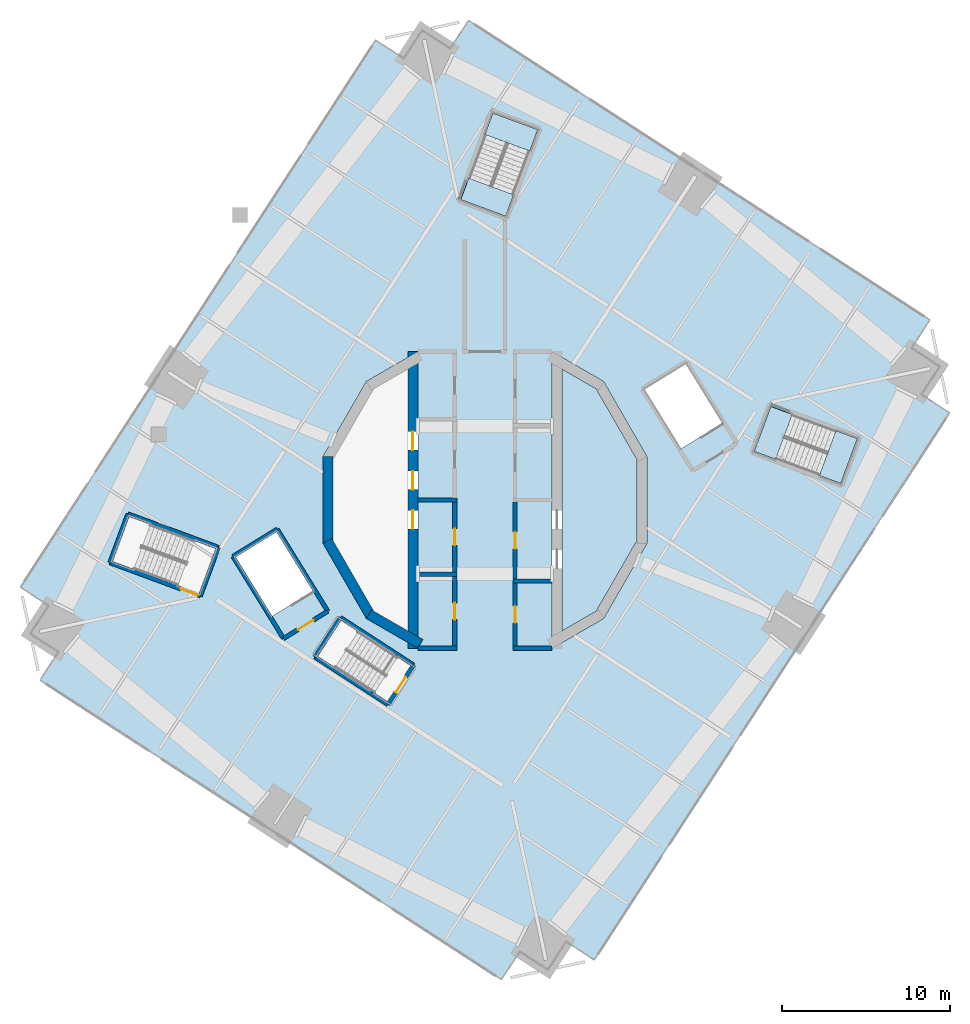
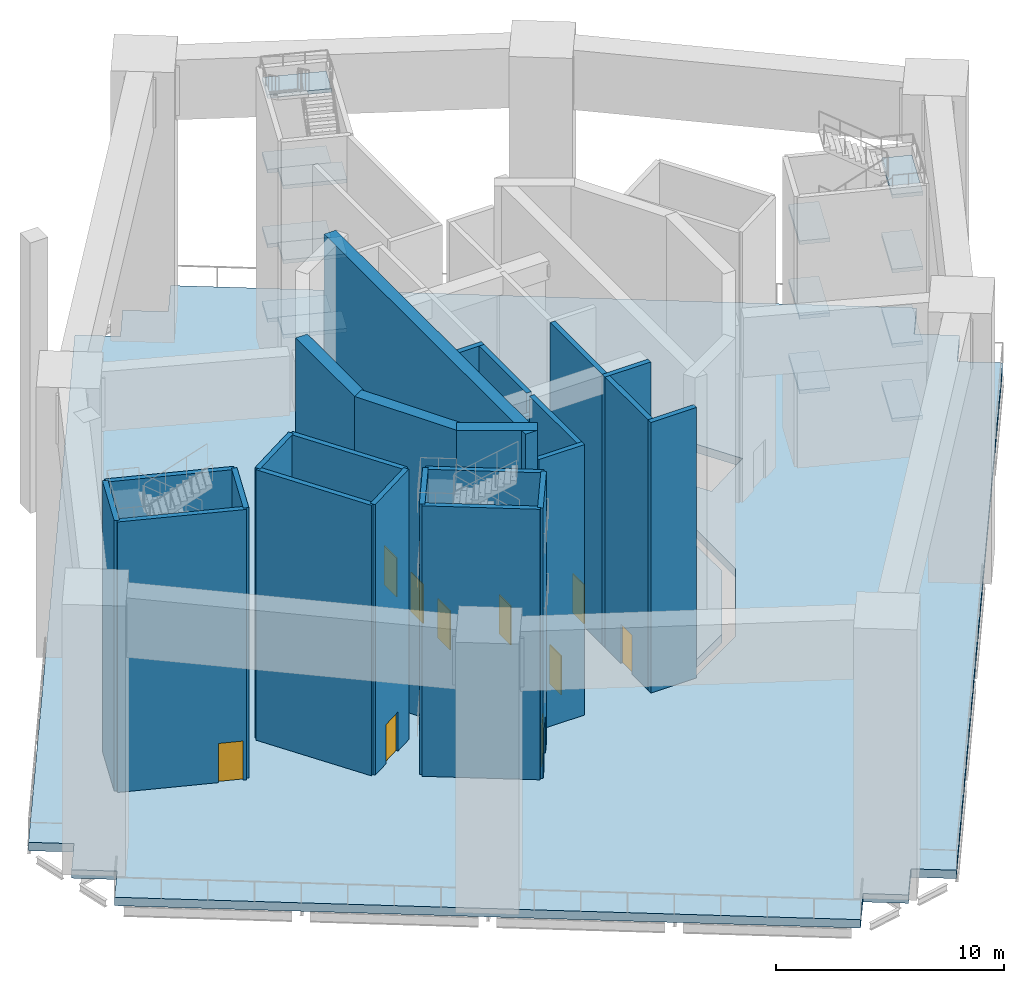
# One storey, part 3 of 16: 25 walls, 16 slabs, 10 doors, 10 openings, 2 elements without a shape of their own.
"""IFC4 building model written with IfcOpenShell, lengths in metres."""

import ifcopenshell
import ifcopenshell.guid

model = None  # the IFC model being written
_history = None  # IfcOwnerHistory: only IFC2X3 demands one
_inside = {}  # id of a spatial element -> (the spatial element, [elements in it])
_under = {}  # id of a project, library or spatial element -> (it, [spatial elements below it])
_declared = {}  # id of a project -> (the project, [libraries it declares])
_typed = {}  # id of a type object -> (the type object, [elements of that type])
_made_of = {}  # id of a material, layer set ... -> (it, [elements and type objects made of it])


def new_model(schema):
    """Start an empty IFC model of exactly this schema.

    Asked for "IFC4X3", IfcOpenShell would pick the latest addendum, in which some entities
    have other attributes; the version numbers below select the first issue.
    IFC2X3 requires an IfcOwnerHistory on every rooted entity: one is made here for all.
    """
    global model, _history
    if schema == "IFC4X3":
        model = ifcopenshell.file(schema_version=(4, 3, 0, 0))
    else:
        model = ifcopenshell.file(schema=schema)
    _inside.clear()
    _under.clear()
    _declared.clear()
    _typed.clear()
    _made_of.clear()
    _history = None
    if model.schema == "IFC2X3":
        org = make("IfcOrganization", Name="unknown")
        user = make(
            "IfcPersonAndOrganization",
            ThePerson=make("IfcPerson", FamilyName="unknown"),
            TheOrganization=org,
        )
        app = make(
            "IfcApplication",
            ApplicationDeveloper=org,
            Version="unknown",
            ApplicationFullName="unknown",
            ApplicationIdentifier="unknown",
        )
        _history = make(
            "IfcOwnerHistory",
            OwningUser=user,
            OwningApplication=app,
            ChangeAction="ADDED",
            CreationDate=0,
        )
    return model


def make(cls, **values):
    """One entity of the class cls with the attributes given. An attribute that is None is left unset."""
    return model.create_entity(
        cls, **{name: value for name, value in values.items() if value is not None}
    )


def rooted(cls, **values):
    """An entity with a GlobalId (a new one), such as an element, a storey or a relation."""
    return make(cls, GlobalId=ifcopenshell.guid.new(), OwnerHistory=_history, **values)


def si_unit(unit_type, name, prefix=None):
    """IfcSIUnit, for example si_unit("LENGTHUNIT", "METRE", prefix="MILLI")."""
    return make("IfcSIUnit", UnitType=unit_type, Prefix=prefix, Name=name)


def assignment(units):
    """IfcUnitAssignment: the units of a project."""
    return None if units is None else make("IfcUnitAssignment", Units=units)


def point(xyz):
    """IfcCartesianPoint."""
    return None if xyz is None else make("IfcCartesianPoint", Coordinates=xyz)


def direction(xyz):
    """IfcDirection."""
    return None if xyz is None else make("IfcDirection", DirectionRatios=xyz)


def frame(location, z_axis=None, x_axis=None):
    """IfcAxis2Placement3D, a coordinate frame: its origin and axes. An axis left out is left unset."""
    return make(
        "IfcAxis2Placement3D",
        Location=point(location),
        Axis=direction(z_axis),
        RefDirection=direction(x_axis),
    )


def frame_2d(location, x_axis=None):
    """IfcAxis2Placement2D, a coordinate frame in the plane: its origin and x axis."""
    return make(
        "IfcAxis2Placement2D", Location=point(location), RefDirection=direction(x_axis)
    )


def origin():
    """The frame at (0, 0, 0) with its axes left unset."""
    return frame((0.0, 0.0, 0.0))


def place(relative_to, where):
    """IfcLocalPlacement: puts the frame where relative to a parent placement (None: the world)."""
    return make(
        "IfcLocalPlacement", PlacementRelTo=relative_to, RelativePlacement=where
    )


def context(
    kind, dimensions, precision=None, world=None, true_north=None, identifier=None
):
    """IfcGeometricRepresentationContext, for example the 3D "Model" context."""
    return make(
        "IfcGeometricRepresentationContext",
        ContextIdentifier=identifier,
        ContextType=kind,
        CoordinateSpaceDimension=dimensions,
        Precision=precision,
        WorldCoordinateSystem=world,
        TrueNorth=true_north,
    )


def subcontext(parent, identifier, kind, view, scale=None):
    """IfcGeometricRepresentationSubContext, for example "Body" below "Model"."""
    return make(
        "IfcGeometricRepresentationSubContext",
        ContextIdentifier=identifier,
        ContextType=kind,
        ParentContext=parent,
        TargetScale=scale,
        TargetView=view,
    )


def project(units=None, contexts=None):
    """IfcProject with its units and contexts."""
    return rooted(
        "IfcProject",
        Name="project",
        RepresentationContexts=contexts,
        UnitsInContext=assignment(units),
    )


def spatial(cls, under=None, at=None, **own):
    """A site, building, storey or space (cls), placed at a placement, below another one or the project."""
    s = rooted(cls, ObjectPlacement=at, **own)
    if under is not None:
        _under.setdefault(under.id(), (under, []))[1].append(s)
    return s


def polyline(points):
    """IfcPolyline through the points."""
    return make("IfcPolyline", Points=[point(p) for p in points])


def profile(cls, at=None, kind="AREA", **sizes):
    """A parametric profile (cls). Its sizes go by their IFC names, for example OverallWidth=200.0."""
    return make(cls, ProfileType=kind, Position=at, **sizes)


def rectangle(**sizes):
    """IfcRectangleProfileDef."""
    return profile("IfcRectangleProfileDef", **sizes)


def outline(outer, holes=None, kind="AREA"):
    """IfcArbitraryClosedProfileDef: a profile drawn as a closed curve; with holes, ...WithVoids."""
    if holes is None:
        return make("IfcArbitraryClosedProfileDef", ProfileType=kind, OuterCurve=outer)
    return make(
        "IfcArbitraryProfileDefWithVoids",
        ProfileType=kind,
        OuterCurve=outer,
        InnerCurves=holes,
    )


def extrude(swept, where, along, depth):
    """IfcExtrudedAreaSolid: the profile swept, set in the frame where, extruded along a direction by depth."""
    return make(
        "IfcExtrudedAreaSolid",
        SweptArea=swept,
        Position=where,
        ExtrudedDirection=direction(along),
        Depth=depth,
    )


def shape(context_of_items, identifier, shape_type, items):
    """IfcShapeRepresentation: the items that make up one representation, for example the "Body"."""
    return make(
        "IfcShapeRepresentation",
        ContextOfItems=context_of_items,
        RepresentationIdentifier=identifier,
        RepresentationType=shape_type,
        Items=items,
    )


def material(Name=None, Category=None):
    """IfcMaterial."""
    return make("IfcMaterial", Name=Name, Category=Category)


def layer(
    of_material, thickness, ventilated=None, Name=None, Category=None, Priority=None
):
    """IfcMaterialLayer: one layer of a wall or slab, of a material (None: an air gap)."""
    return make(
        "IfcMaterialLayer",
        Material=of_material,
        LayerThickness=thickness,
        IsVentilated=ventilated,
        Name=Name,
        Category=Category,
        Priority=Priority,
    )


def layer_set(layers, Name=None):
    """IfcMaterialLayerSet."""
    return make("IfcMaterialLayerSet", MaterialLayers=layers, LayerSetName=Name)


def made_of(thing, what):
    """Note that an element or type object is made of a material, layer set ...; save() writes the relation."""
    if what is not None:
        _made_of.setdefault(what.id(), (what, []))[1].append(thing)
    return thing


def type_object(cls, material=None, **own):
    """A type object (cls), such as IfcWallType, which elements share."""
    return made_of(rooted(cls, **own), material)


def element(
    cls,
    number,
    at=None,
    inside=None,
    cuts=None,
    type_object=None,
    material=None,
    context=None,
    identifier="Body",
    shape_type=None,
    held_by="IfcProductDefinitionShape",
    body=None,
    shapes=None,
    **own,
):
    """One element of the class cls, such as IfcWall. Its Tag is "e" and its number.

    at: its placement. inside: the storey or other place that contains it. cuts: it is an
    opening in that element (IfcRelVoidsElement). A single representation is given by context,
    identifier, shape_type and body (its items); several are given by shapes. held_by: the class
    of the entity that holds the representations. save() writes the other relations.
    """
    e = rooted(cls, Tag="e%d" % number, ObjectPlacement=at, **own)
    if body is not None:
        shapes = [shape(context, identifier, shape_type, body)]
    if shapes is not None:
        e.Representation = make(held_by, Representations=shapes)
    if inside is not None:
        _inside.setdefault(inside.id(), (inside, []))[1].append(e)
    if cuts is not None:
        rooted(
            "IfcRelVoidsElement", RelatingBuildingElement=cuts, RelatedOpeningElement=e
        )
    if type_object is not None:
        _typed.setdefault(type_object.id(), (type_object, []))[1].append(e)
    return made_of(e, material)


def fill(opening, filler):
    """IfcRelFillsElement: the door or window that sits in an opening."""
    return rooted(
        "IfcRelFillsElement",
        RelatingOpeningElement=opening,
        RelatedBuildingElement=filler,
    )


def aggregate(whole, parts):
    """IfcRelAggregates: a whole, such as a stair, and the parts it consists of."""
    return rooted("IfcRelAggregates", RelatingObject=whole, RelatedObjects=parts)


def save(model, path):
    """Write the relations noted so far, then the file.

    IfcRelAggregates (storeys below a building ...), IfcRelContainedInSpatialStructure (elements
    in a storey), IfcRelDefinesByType, IfcRelAssociatesMaterial and IfcRelDeclares: one each for
    every whole, place, type object, material and project.
    """
    for whole, parts in _under.values():
        aggregate(whole, parts)
    for where, things in _inside.values():
        rooted(
            "IfcRelContainedInSpatialStructure",
            RelatedElements=things,
            RelatingStructure=where,
        )
    for kind, things in _typed.values():
        rooted("IfcRelDefinesByType", RelatedObjects=things, RelatingType=kind)
    for what, things in _made_of.values():
        rooted("IfcRelAssociatesMaterial", RelatedObjects=things, RelatingMaterial=what)
    for by, libraries in _declared.values():
        rooted("IfcRelDeclares", RelatingContext=by, RelatedDefinitions=libraries)
    model.write(path)


model = new_model("IFC4")

# Units and contexts
model_context = context("Model", 3, precision=1e-05, world=origin(), true_north=direction((0.0, 1.0)))
body_context = subcontext(model_context, "Body", "Model", "MODEL_VIEW")
ifc_project = project(units=[si_unit("LENGTHUNIT", "METRE"), si_unit("AREAUNIT", "SQUARE_METRE"), si_unit("VOLUMEUNIT", "CUBIC_METRE"), si_unit("PLANEANGLEUNIT", "RADIAN"), si_unit("MASSUNIT", "GRAM", prefix="KILO")], contexts=[model_context])

# Site, building, storey
site_placement = place(None, origin())
site = spatial("IfcSite", under=ifc_project, at=site_placement, CompositionType="ELEMENT")
building_placement = place(site_placement, origin())
building = spatial("IfcBuilding", under=site, at=building_placement, Name="Cantera Rosa Tower", CompositionType="ELEMENT")
storey_placement = place(building_placement, frame((0.0, 0.0, 290.10009765625)))
storey = spatial("IfcBuildingStorey", under=building, at=storey_placement, Name="L66", CompositionType="ELEMENT", Elevation=290.10009765625)

# Slabs
ifc_material_1 = material(Name="Concrete C50/60", Category="concrete")
ifc_layer_1 = layer(ifc_material_1, 0.449951171875)
ifc_layer_set_1 = layer_set([ifc_layer_1], Name="RC TRANSFER PLATE 450 C50/60")
slab_type_1 = type_object("IfcSlabType", Name="RC TRANSFER PLATE 450 C50/60", PredefinedType="FLOOR", material=ifc_layer_set_1)
slab_1_placement = place(storey_placement, frame((0.0, 0.0, -0.4501953125)))
element("IfcSlab", 1, at=slab_1_placement, inside=storey, type_object=slab_type_1, Name="SLAB L66 floor 2", PredefinedType="FLOOR", context=body_context, shape_type="SweptSolid", body=[
    extrude(outline(polyline([(27.114013671875, 7.968017578125), (26.02490234375, 6.290771484375), (27.7021484375, 5.201416015625), (6.515625, -27.4228515625), (4.83837890625, -26.33349609375), (3.7490234375, -28.0107421875), (2.07177734375, -26.921630859375), (0.982421875, -28.598876953125), (-26.52587890625, -10.734619140625), (-25.436767578125, -9.057373046875), (-27.114013671875, -7.968017578125), (-26.02490234375, -6.290771484375), (-27.7021484375, -5.201416015625), (-6.515625, 27.4228515625), (-4.83837890625, 26.33349609375), (-3.7490234375, 28.0107421875), (-2.07177734375, 26.921630859375), (-0.982421875, 28.598876953125), (26.52587890625, 10.734619140625), (25.436767578125, 9.057373046875), (27.114013671875, 7.968017578125)]), holes=[polyline([(-9.97021484375, -9.3212890625), (-6.835205078125, -11.357177734375), (-5.4462890625, -9.218505859375), (-8.581298828125, -7.1826171875), (-9.97021484375, -9.3212890625)]), polyline([(-14.8564453125, -3.407470703125), (-12.68408203125, -6.929443359375), (-10.258544921875, -5.433349609375), (-12.430908203125, -1.911376953125), (-14.8564453125, -3.407470703125)]), polyline([(-9.6591796875, -2.588134765625), (-7.071044921875, -7.071044921875), (-4.0, -8.843994140625), (-4.0, 8.843994140625), (-7.071044921875, 7.071044921875), (-9.6591796875, 2.588134765625), (-9.6591796875, -2.588134765625)]), polyline([(9.6591796875, -2.588134765625), (9.6591796875, 2.588134765625), (7.071044921875, 7.071044921875), (4.0, 8.843994140625), (4.0, -8.843994140625), (7.071044921875, -7.071044921875), (9.6591796875, -2.588134765625)]), polyline([(11.96923828125, 8.088623046875), (9.54345703125, 6.592529296875), (11.7158203125, 3.070556640625), (14.1416015625, 4.566650390625), (11.96923828125, 8.088623046875)])]), origin(), (0.0, 0.0, 1.0), 0.4501953125),
])
slab_2_placement = place(storey_placement, frame((0.0, 0.0, -0.4501953125)))
element("IfcSlab", 2, at=slab_2_placement, inside=storey, type_object=slab_type_1, Name="SLAB L66 floor 3", PredefinedType="FLOOR", context=body_context, shape_type="SweptSolid", body=[
    extrude(outline(polyline([(4.60009765625, -7.804931640625), (4.60009765625, 7.804931640625), (6.6318359375, 6.6318359375), (9.059326171875, 2.427490234375), (9.059326171875, -2.427490234375), (6.6318359375, -6.6318359375), (4.60009765625, -7.804931640625)])), origin(), (0.0, 0.0, 1.0), 0.4501953125),
])

# Stair, slabs
ifc_material_2 = material(Name="Concrete C35/45", Category="concrete")
stair_type = type_object("IfcStairType", Name="EXIT STAIR 1350 DOGLEG", PredefinedType="HALF_TURN_STAIR", material=ifc_material_2)
stair_1_placement = place(storey_placement, origin())
stair_1 = element("IfcStair", 3, at=stair_1_placement, inside=storey, type_object=stair_type, Name="L66 ST-61", PredefinedType="HALF_TURN_STAIR")
ifc_material_3 = material(Name="Concrete C35/45", Category="concrete")
ifc_layer_2 = layer(ifc_material_3, 0.199951171875)
ifc_layer_set_2 = layer_set([ifc_layer_2], Name="STAIR LANDING 200")
slab_type_2 = type_object("IfcSlabType", Name="STAIR LANDING 200", PredefinedType="LANDING", material=ifc_layer_set_2)
slab_3_placement = place(storey_placement, frame((0.0, 0.0, 1.7998046875)))
slab_3 = element("IfcSlab", 4, at=slab_3_placement, type_object=slab_type_2, Name="ST-61 landing 1", PredefinedType="LANDING", context=body_context, shape_type="SweptSolid", body=[
    extrude(outline(polyline([(19.938720703125, 1.462890625), (21.2158203125, 0.989501953125), (22.206298828125, 3.661865234375), (20.928955078125, 4.13525390625), (19.938720703125, 1.462890625)])), origin(), (0.0, 0.0, 1.0), 0.2001953125),
])
slab_4_placement = place(storey_placement, frame((0.0, 0.0, 3.7998046875)))
slab_4 = element("IfcSlab", 5, at=slab_4_placement, type_object=slab_type_2, Name="ST-61 landing 2", PredefinedType="LANDING", context=body_context, shape_type="SweptSolid", body=[
    extrude(outline(polyline([(16.05859375, 2.900634765625), (17.335693359375, 2.427490234375), (18.325927734375, 5.099853515625), (17.048828125, 5.572998046875), (16.05859375, 2.900634765625)])), origin(), (0.0, 0.0, 1.0), 0.2001953125),
])
slab_5_placement = place(storey_placement, frame((0.0, 0.0, 5.7998046875)))
slab_5 = element("IfcSlab", 6, at=slab_5_placement, type_object=slab_type_2, Name="ST-61 landing 3", PredefinedType="LANDING", context=body_context, shape_type="SweptSolid", body=[
    extrude(outline(polyline([(19.938720703125, 1.462890625), (21.2158203125, 0.989501953125), (22.206298828125, 3.661865234375), (20.928955078125, 4.13525390625), (19.938720703125, 1.462890625)])), origin(), (0.0, 0.0, 1.0), 0.2001953125),
])
slab_6_placement = place(storey_placement, frame((0.0, 0.0, 7.7998046875)))
slab_6 = element("IfcSlab", 7, at=slab_6_placement, type_object=slab_type_2, Name="ST-61 landing 4", PredefinedType="LANDING", context=body_context, shape_type="SweptSolid", body=[
    extrude(outline(polyline([(16.05859375, 2.900634765625), (17.335693359375, 2.427490234375), (18.325927734375, 5.099853515625), (17.048828125, 5.572998046875), (16.05859375, 2.900634765625)])), origin(), (0.0, 0.0, 1.0), 0.2001953125),
])
slab_7_placement = place(storey_placement, frame((0.0, 0.0, 9.7998046875)))
slab_7 = element("IfcSlab", 8, at=slab_7_placement, type_object=slab_type_2, Name="ST-61 landing 5", PredefinedType="LANDING", context=body_context, shape_type="SweptSolid", body=[
    extrude(outline(polyline([(19.938720703125, 1.462890625), (21.2158203125, 0.989501953125), (22.206298828125, 3.661865234375), (20.928955078125, 4.13525390625), (19.938720703125, 1.462890625)])), origin(), (0.0, 0.0, 1.0), 0.2001953125),
])
slab_8_placement = place(storey_placement, frame((0.0, 0.0, 11.7998046875)))
slab_8 = element("IfcSlab", 9, at=slab_8_placement, type_object=slab_type_2, Name="ST-61 landing 6", PredefinedType="LANDING", context=body_context, shape_type="SweptSolid", body=[
    extrude(outline(polyline([(16.05859375, 2.900634765625), (17.335693359375, 2.427490234375), (18.325927734375, 5.099853515625), (17.048828125, 5.572998046875), (16.05859375, 2.900634765625)])), origin(), (0.0, 0.0, 1.0), 0.2001953125),
])
slab_9_placement = place(storey_placement, frame((0.0, 0.0, 13.7998046875)))
slab_9 = element("IfcSlab", 10, at=slab_9_placement, type_object=slab_type_2, Name="ST-61 landing 7", PredefinedType="LANDING", context=body_context, shape_type="SweptSolid", body=[
    extrude(outline(polyline([(19.938720703125, 1.462890625), (21.2158203125, 0.989501953125), (22.206298828125, 3.661865234375), (20.928955078125, 4.13525390625), (19.938720703125, 1.462890625)])), origin(), (0.0, 0.0, 1.0), 0.2001953125),
])
aggregate(stair_1, [slab_3, slab_4, slab_5, slab_6, slab_7, slab_8, slab_9])

stair_2_placement = place(storey_placement, origin())
stair_2 = element("IfcStair", 11, at=stair_2_placement, inside=storey, type_object=stair_type, Name="L66 ST-62", PredefinedType="HALF_TURN_STAIR")
slab_10_placement = place(storey_placement, frame((0.0, 0.0, 1.7998046875)))
slab_10 = element("IfcSlab", 12, at=slab_10_placement, type_object=slab_type_2, Name="ST-62 landing 1", PredefinedType="LANDING", context=body_context, shape_type="SweptSolid", body=[
    extrude(outline(polyline([(2.671142578125, 20.806396484375), (3.14453125, 22.08349609375), (0.47216796875, 23.07373046875), (-0.001220703125, 21.796630859375), (2.671142578125, 20.806396484375)])), origin(), (0.0, 0.0, 1.0), 0.2001953125),
])
slab_11_placement = place(storey_placement, frame((0.0, 0.0, 3.7998046875)))
slab_11 = element("IfcSlab", 13, at=slab_11_placement, type_object=slab_type_2, Name="ST-62 landing 2", PredefinedType="LANDING", context=body_context, shape_type="SweptSolid", body=[
    extrude(outline(polyline([(1.2333984375, 16.926025390625), (1.70654296875, 18.203369140625), (-0.9658203125, 19.193603515625), (-1.43896484375, 17.91650390625), (1.2333984375, 16.926025390625)])), origin(), (0.0, 0.0, 1.0), 0.2001953125),
])
slab_12_placement = place(storey_placement, frame((0.0, 0.0, 5.7998046875)))
slab_12 = element("IfcSlab", 14, at=slab_12_placement, type_object=slab_type_2, Name="ST-62 landing 3", PredefinedType="LANDING", context=body_context, shape_type="SweptSolid", body=[
    extrude(outline(polyline([(2.671142578125, 20.806396484375), (3.14453125, 22.08349609375), (0.47216796875, 23.07373046875), (-0.001220703125, 21.796630859375), (2.671142578125, 20.806396484375)])), origin(), (0.0, 0.0, 1.0), 0.2001953125),
])
slab_13_placement = place(storey_placement, frame((0.0, 0.0, 7.7998046875)))
slab_13 = element("IfcSlab", 15, at=slab_13_placement, type_object=slab_type_2, Name="ST-62 landing 4", PredefinedType="LANDING", context=body_context, shape_type="SweptSolid", body=[
    extrude(outline(polyline([(1.2333984375, 16.926025390625), (1.70654296875, 18.203369140625), (-0.9658203125, 19.193603515625), (-1.43896484375, 17.91650390625), (1.2333984375, 16.926025390625)])), origin(), (0.0, 0.0, 1.0), 0.2001953125),
])
slab_14_placement = place(storey_placement, frame((0.0, 0.0, 9.7998046875)))
slab_14 = element("IfcSlab", 16, at=slab_14_placement, type_object=slab_type_2, Name="ST-62 landing 5", PredefinedType="LANDING", context=body_context, shape_type="SweptSolid", body=[
    extrude(outline(polyline([(2.671142578125, 20.806396484375), (3.14453125, 22.08349609375), (0.47216796875, 23.07373046875), (-0.001220703125, 21.796630859375), (2.671142578125, 20.806396484375)])), origin(), (0.0, 0.0, 1.0), 0.2001953125),
])
slab_15_placement = place(storey_placement, frame((0.0, 0.0, 11.7998046875)))
slab_15 = element("IfcSlab", 17, at=slab_15_placement, type_object=slab_type_2, Name="ST-62 landing 6", PredefinedType="LANDING", context=body_context, shape_type="SweptSolid", body=[
    extrude(outline(polyline([(1.2333984375, 16.926025390625), (1.70654296875, 18.203369140625), (-0.9658203125, 19.193603515625), (-1.43896484375, 17.91650390625), (1.2333984375, 16.926025390625)])), origin(), (0.0, 0.0, 1.0), 0.2001953125),
])
slab_16_placement = place(storey_placement, frame((0.0, 0.0, 13.7998046875)))
slab_16 = element("IfcSlab", 18, at=slab_16_placement, type_object=slab_type_2, Name="ST-62 landing 7", PredefinedType="LANDING", context=body_context, shape_type="SweptSolid", body=[
    extrude(outline(polyline([(2.671142578125, 20.806396484375), (3.14453125, 22.08349609375), (0.47216796875, 23.07373046875), (-0.001220703125, 21.796630859375), (2.671142578125, 20.806396484375)])), origin(), (0.0, 0.0, 1.0), 0.2001953125),
])
aggregate(stair_2, [slab_10, slab_11, slab_12, slab_13, slab_14, slab_15, slab_16])

# Wall, opening, door
ifc_material_4 = material(Name="Masonry blockwork", Category="masonry")
ifc_layer_3 = layer(ifc_material_4, 0.25)
ifc_layer_set_3 = layer_set([ifc_layer_3], Name="Fire-rated wall 250")
wall_type_1 = type_object("IfcWallType", Name="Fire-rated wall 250", PredefinedType="PARTITIONING", material=ifc_layer_set_3)
wall_1_placement = place(storey_placement, frame((-1.800048828125, -8.718994140625, 0.0), z_axis=(0.0, 0.0, 1.0), x_axis=(0.0, 1.0, 0.0)))
wall_1 = element("IfcWall", 19, at=wall_1_placement, inside=storey, type_object=wall_type_1, Name="Fire wall L66-1", PredefinedType="PARTITIONING", context=body_context, shape_type="SweptSolid", body=[
    extrude(rectangle(XDim=4.171875, YDim=0.25, at=frame_2d((2.0859375, 0.0))), origin(), (0.0, 0.0, 1.0), 14.5),
])
opening_1_placement = place(wall_1_placement, frame((1.5859375, 0.0, 0.0)))
opening_1 = element("IfcOpeningElement", 20, at=opening_1_placement, cuts=wall_1, Name="Opening L66-004", PredefinedType="OPENING", context=body_context, shape_type="SweptSolid", body=[
    extrude(rectangle(XDim=1.0, YDim=2.10009765625, at=frame_2d((0.5, 1.050048828125))), frame((0.0, 0.135009765625, 0.0), z_axis=(0.0, -1.0, 0.0), x_axis=(1.0, 0.0, 0.0)), (0.0, 0.0, 1.0), 0.27001953125),
])
ifc_material_5 = material(Name="Steel S355J2 (EN 10025-2)", Category="steel")
door_type_1 = type_object("IfcDoorType", Name="Fire door 1000x2100", OperationType="NOTDEFINED", PredefinedType="DOOR", material=ifc_material_5)
door_1_placement = place(opening_1_placement, origin())
door_1 = element("IfcDoor", 21, at=door_1_placement, inside=storey, type_object=door_type_1, Name="Door L66-004", OverallHeight=2.10009765625, OverallWidth=1.0, PredefinedType="DOOR", context=body_context, shape_type="SweptSolid", body=[
    extrude(rectangle(XDim=1.0, YDim=2.10009765625, at=frame_2d((0.5, 1.050048828125))), frame((0.0, 0.02490234375, 0.0), z_axis=(0.0, -1.0, 0.0), x_axis=(1.0, 0.0, 0.0)), (0.0, 0.0, 1.0), 0.050048828125),
])
fill(opening_1, door_1)

wall_2_placement = place(storey_placement, frame((-1.800048828125, -4.297119140625, 0.0), z_axis=(0.0, 0.0, 1.0), x_axis=(0.0, 1.0, 0.0)))
wall_2 = element("IfcWall", 22, at=wall_2_placement, inside=storey, type_object=wall_type_1, Name="Fire wall L66-2", PredefinedType="PARTITIONING", context=body_context, shape_type="SweptSolid", body=[
    extrude(rectangle(XDim=4.172119140625, YDim=0.25, at=frame_2d((2.0859375, 0.0))), origin(), (0.0, 0.0, 1.0), 14.5),
])
opening_2_placement = place(wall_2_placement, frame((1.5859375, 0.0, 0.0)))
opening_2 = element("IfcOpeningElement", 23, at=opening_2_placement, cuts=wall_2, Name="Opening L66-001", PredefinedType="OPENING", context=body_context, shape_type="SweptSolid", body=[
    extrude(rectangle(XDim=1.0, YDim=2.10009765625, at=frame_2d((0.5, 1.050048828125))), frame((0.0, 0.135009765625, 0.0), z_axis=(0.0, -1.0, 0.0), x_axis=(1.0, 0.0, 0.0)), (0.0, 0.0, 1.0), 0.27001953125),
])
door_2_placement = place(opening_2_placement, origin())
door_2 = element("IfcDoor", 24, at=door_2_placement, inside=storey, type_object=door_type_1, Name="Door L66-001", OverallHeight=2.10009765625, OverallWidth=1.0, PredefinedType="DOOR", context=body_context, shape_type="SweptSolid", body=[
    extrude(rectangle(XDim=1.0, YDim=2.10009765625, at=frame_2d((0.5, 1.050048828125))), frame((0.0, 0.02490234375, 0.0), z_axis=(0.0, -1.0, 0.0), x_axis=(1.0, 0.0, 0.0)), (0.0, 0.0, 1.0), 0.050048828125),
])
fill(opening_2, door_2)

# Walls
for number, where, z_axis, x_axis, name in (
    (25, (-4.0, -8.843994140625, 0.0), (0.0, 0.0, 1.0), (1.0, 0.0, 0.0), "Fire wall L66-6"),
    (26, (1.675048828125, -8.843994140625, 0.0), (0.0, 0.0, 1.0), (1.0, 0.0, 0.0), "Fire wall L66-7"),
    (27, (1.675048828125, -4.824951171875, 0.0), (0.0, 0.0, 1.0), (1.0, 0.0, 0.0), "Fire wall L66-12"),
):
    element("IfcWall", number, at=place(storey_placement, frame(where, z_axis=z_axis, x_axis=x_axis)), inside=storey, type_object=wall_type_1, Name=name, PredefinedType="PARTITIONING", context=body_context, shape_type="SweptSolid", body=[
        extrude(rectangle(XDim=2.324951171875, YDim=0.25, at=frame_2d((1.16259765625, 0.0))), origin(), (0.0, 0.0, 1.0), 14.5),
    ])

# Wall, opening, door
wall_3_placement = place(storey_placement, frame((1.800048828125, -8.718994140625, 0.0), z_axis=(0.0, 0.0, 1.0), x_axis=(0.0, 1.0, 0.0)))
wall_3 = element("IfcWall", 28, at=wall_3_placement, inside=storey, type_object=wall_type_1, Name="Fire wall L66-13", PredefinedType="PARTITIONING", context=body_context, shape_type="SweptSolid", body=[
    extrude(rectangle(XDim=3.76904296875, YDim=0.25, at=frame_2d((1.884521484375, 0.0))), origin(), (0.0, 0.0, 1.0), 14.5),
])
opening_3_placement = place(wall_3_placement, frame((1.384521484375, 0.0, 0.0)))
opening_3 = element("IfcOpeningElement", 29, at=opening_3_placement, cuts=wall_3, Name="Opening L66-006", PredefinedType="OPENING", context=body_context, shape_type="SweptSolid", body=[
    extrude(rectangle(XDim=1.0, YDim=2.10009765625, at=frame_2d((0.5, 1.050048828125))), frame((0.0, 0.135009765625, 0.0), z_axis=(0.0, -1.0, 0.0), x_axis=(1.0, 0.0, 0.0)), (0.0, 0.0, 1.0), 0.27001953125),
])
door_3_placement = place(opening_3_placement, origin())
door_3 = element("IfcDoor", 30, at=door_3_placement, inside=storey, type_object=door_type_1, Name="Door L66-006", OverallHeight=2.10009765625, OverallWidth=1.0, PredefinedType="DOOR", context=body_context, shape_type="SweptSolid", body=[
    extrude(rectangle(XDim=1.0, YDim=2.10009765625, at=frame_2d((0.5, 1.050048828125))), frame((0.0, 0.02490234375, 0.0), z_axis=(0.0, -1.0, 0.0), x_axis=(1.0, 0.0, 0.0)), (0.0, 0.0, 1.0), 0.050048828125),
])
fill(opening_3, door_3)

wall_4_placement = place(storey_placement, frame((1.800048828125, -4.699951171875, 0.0), z_axis=(0.0, 0.0, 1.0), x_axis=(0.0, 1.0, 0.0)))
wall_4 = element("IfcWall", 31, at=wall_4_placement, inside=storey, type_object=wall_type_1, Name="Fire wall L66-14", PredefinedType="PARTITIONING", context=body_context, shape_type="SweptSolid", body=[
    extrude(rectangle(XDim=4.574951171875, YDim=0.25, at=frame_2d((2.28759765625, 0.0))), origin(), (0.0, 0.0, 1.0), 14.5),
])
opening_4_placement = place(wall_4_placement, frame((1.78759765625, 0.0, 0.0)))
opening_4 = element("IfcOpeningElement", 32, at=opening_4_placement, cuts=wall_4, Name="Opening L66-003", PredefinedType="OPENING", context=body_context, shape_type="SweptSolid", body=[
    extrude(rectangle(XDim=1.0, YDim=2.10009765625, at=frame_2d((0.5, 1.050048828125))), frame((0.0, 0.135009765625, 0.0), z_axis=(0.0, -1.0, 0.0), x_axis=(1.0, 0.0, 0.0)), (0.0, 0.0, 1.0), 0.27001953125),
])
door_4_placement = place(opening_4_placement, origin())
door_4 = element("IfcDoor", 33, at=door_4_placement, inside=storey, type_object=door_type_1, Name="Door L66-003", OverallHeight=2.10009765625, OverallWidth=1.0, PredefinedType="DOOR", context=body_context, shape_type="SweptSolid", body=[
    extrude(rectangle(XDim=1.0, YDim=2.10009765625, at=frame_2d((0.5, 1.050048828125))), frame((0.0, 0.02490234375, 0.0), z_axis=(0.0, -1.0, 0.0), x_axis=(1.0, 0.0, 0.0)), (0.0, 0.0, 1.0), 0.050048828125),
])
fill(opening_4, door_4)

# Walls
wall_5_placement = place(storey_placement, frame((-4.0, 0.0, 0.0), z_axis=(0.0, 0.0, 1.0), x_axis=(1.0, 0.0, 0.0)))
element("IfcWall", 34, at=wall_5_placement, inside=storey, type_object=wall_type_1, Name="Fire wall L66-18", PredefinedType="PARTITIONING", context=body_context, shape_type="SweptSolid", body=[
    extrude(rectangle(XDim=2.324951171875, YDim=0.25, at=frame_2d((1.16259765625, 0.0))), origin(), (0.0, 0.0, 1.0), 14.5),
])
ifc_material_6 = material(Name="Masonry blockwork", Category="masonry")
ifc_layer_4 = layer(ifc_material_6, 0.25)
ifc_layer_set_4 = layer_set([ifc_layer_4], Name="Fire-rated wall 250 H13450")
wall_type_2 = type_object("IfcWallType", Name="Fire-rated wall 250 H13450", PredefinedType="PARTITIONING", material=ifc_layer_set_4)
wall_6_placement = place(storey_placement, frame((-4.0, -4.422119140625, 0.0), z_axis=(0.0, 0.0, 1.0), x_axis=(1.0, 0.0, 0.0)))
element("IfcWall", 35, at=wall_6_placement, inside=storey, type_object=wall_type_2, Name="Fire wall L66-5", PredefinedType="PARTITIONING", context=body_context, shape_type="SweptSolid", body=[
    extrude(rectangle(XDim=2.324951171875, YDim=0.25, at=frame_2d((1.16259765625, 0.0))), origin(), (0.0, 0.0, 1.0), 13.449951171875),
])
ifc_material_7 = material(Name="Concrete C50/60", Category="concrete")
ifc_layer_5 = layer(ifc_material_7, 0.60009765625)
ifc_layer_set_5 = layer_set([ifc_layer_5], Name="RC CORE WALL 600 C50/60")
wall_type_3 = type_object("IfcWallType", Name="RC CORE WALL 600 C50/60", PredefinedType="SHEAR", material=ifc_layer_set_5)
wall_7_placement = place(storey_placement, frame((-3.85009765625, -8.584228515625, 0.0), z_axis=(0.0, 0.0, 1.0), x_axis=(-0.866039982607, 0.499974747889, 0.0)))
element("IfcWall", 36, at=wall_7_placement, inside=storey, type_object=wall_type_3, Name="CW-W1 L66", PredefinedType="SHEAR", context=body_context, shape_type="SweptSolid", body=[
    extrude(rectangle(XDim=3.546142578125, YDim=0.60009765625, at=frame_2d((1.77294921875, 0.0))), origin(), (0.0, 0.0, 1.0), 16.0),
])
for number, where, z_axis, x_axis, name in (
    (37, (-6.811279296875, -6.921142578125, 0.0), (0.0, 0.0, 1.0), (-0.499989188378, 0.866031645787, 0.0), "CW-W2 L66"),
    (38, (-9.359375, -2.588134765625, 0.0), (0.0, 0.0, 1.0), (0.0, 1.0, 0.0), "CW-W3 L66"),
):
    element("IfcWall", number, at=place(storey_placement, frame(where, z_axis=z_axis, x_axis=x_axis)), inside=storey, type_object=wall_type_3, Name=name, PredefinedType="SHEAR", context=body_context, shape_type="SweptSolid", body=[
        extrude(rectangle(XDim=5.17626953125, YDim=0.60009765625, at=frame_2d((2.588134765625, 0.0))), origin(), (0.0, 0.0, 1.0), 16.0),
    ])

# Wall, openings, doors
wall_8_placement = place(storey_placement, frame((-4.300048828125, 8.84423828125, 0.0), z_axis=(0.0, 0.0, 1.0), x_axis=(0.0, -1.0, 0.0)))
wall_8 = element("IfcWall", 39, at=wall_8_placement, inside=storey, type_object=wall_type_3, Name="CW-W6 L66", PredefinedType="SHEAR", context=body_context, shape_type="SweptSolid", body=[
    extrude(rectangle(XDim=17.6884765625, YDim=0.60009765625, at=frame_2d((8.84423828125, 0.0))), origin(), (0.0, 0.0, 1.0), 16.0),
])
opening_5_placement = place(wall_8_placement, frame((9.468994140625, 0.0, 0.0)))
opening_5 = element("IfcOpeningElement", 40, at=opening_5_placement, cuts=wall_8, Name="Opening LD-H1-L66", PredefinedType="OPENING", context=body_context, shape_type="SweptSolid", body=[
    extrude(rectangle(XDim=1.10009765625, YDim=2.10009765625, at=frame_2d((0.550048828125, 1.050048828125))), frame((0.0, 0.31005859375, 0.0), z_axis=(0.0, -1.0, 0.0), x_axis=(1.0, 0.0, 0.0)), (0.0, 0.0, 1.0), 0.6201171875),
])
opening_6_placement = place(wall_8_placement, frame((7.119140625, 0.0, 0.0)))
opening_6 = element("IfcOpeningElement", 41, at=opening_6_placement, cuts=wall_8, Name="Opening LD-H2-L66", PredefinedType="OPENING", context=body_context, shape_type="SweptSolid", body=[
    extrude(rectangle(XDim=1.10009765625, YDim=2.10009765625, at=frame_2d((0.550048828125, 1.050048828125))), frame((0.0, 0.31005859375, 0.0), z_axis=(0.0, -1.0, 0.0), x_axis=(1.0, 0.0, 0.0)), (0.0, 0.0, 1.0), 0.6201171875),
])
opening_7_placement = place(wall_8_placement, frame((4.76904296875, 0.0, 0.0)))
opening_7 = element("IfcOpeningElement", 42, at=opening_7_placement, cuts=wall_8, Name="Opening LD-H3-L66", PredefinedType="OPENING", context=body_context, shape_type="SweptSolid", body=[
    extrude(rectangle(XDim=1.10009765625, YDim=2.10009765625, at=frame_2d((0.550048828125, 1.050048828125))), frame((0.0, 0.31005859375, 0.0), z_axis=(0.0, -1.0, 0.0), x_axis=(1.0, 0.0, 0.0)), (0.0, 0.0, 1.0), 0.6201171875),
])
ifc_material_8 = material(Name="Steel S355J2 (EN 10025-2)", Category="steel")
door_type_2 = type_object("IfcDoorType", Name="LANDING DOOR 1100x2100", OperationType="NOTDEFINED", PredefinedType="DOOR", material=ifc_material_8)
door_5_placement = place(opening_5_placement, origin())
door_5 = element("IfcDoor", 43, at=door_5_placement, inside=storey, type_object=door_type_2, Name="LANDING DOOR H1 L66", OperationType="SLIDING_TO_LEFT", OverallHeight=2.10009765625, OverallWidth=1.10009765625, PredefinedType="DOOR", context=body_context, shape_type="SweptSolid", body=[
    extrude(rectangle(XDim=1.10009765625, YDim=2.10009765625, at=frame_2d((0.550048828125, 1.050048828125))), frame((0.0, 0.02490234375, 0.0), z_axis=(0.0, -1.0, 0.0), x_axis=(1.0, 0.0, 0.0)), (0.0, 0.0, 1.0), 0.050048828125),
])
fill(opening_5, door_5)
door_6_placement = place(opening_6_placement, origin())
door_6 = element("IfcDoor", 44, at=door_6_placement, inside=storey, type_object=door_type_2, Name="LANDING DOOR H2 L66", OperationType="SLIDING_TO_LEFT", OverallHeight=2.10009765625, OverallWidth=1.10009765625, PredefinedType="DOOR", context=body_context, shape_type="SweptSolid", body=[
    extrude(rectangle(XDim=1.10009765625, YDim=2.10009765625, at=frame_2d((0.550048828125, 1.050048828125))), frame((0.0, 0.02490234375, 0.0), z_axis=(0.0, -1.0, 0.0), x_axis=(1.0, 0.0, 0.0)), (0.0, 0.0, 1.0), 0.050048828125),
])
fill(opening_6, door_6)
door_7_placement = place(opening_7_placement, origin())
door_7 = element("IfcDoor", 45, at=door_7_placement, inside=storey, type_object=door_type_2, Name="LANDING DOOR H3 L66", OperationType="SLIDING_TO_LEFT", OverallHeight=2.10009765625, OverallWidth=1.10009765625, PredefinedType="DOOR", context=body_context, shape_type="SweptSolid", body=[
    extrude(rectangle(XDim=1.10009765625, YDim=2.10009765625, at=frame_2d((0.550048828125, 1.050048828125))), frame((0.0, 0.02490234375, 0.0), z_axis=(0.0, -1.0, 0.0), x_axis=(1.0, 0.0, 0.0)), (0.0, 0.0, 1.0), 0.050048828125),
])
fill(opening_7, door_7)

# Wall, opening, door
ifc_material_9 = material(Name="Concrete C50/60", Category="concrete")
ifc_layer_6 = layer(ifc_material_9, 0.25)
ifc_layer_set_6 = layer_set([ifc_layer_6], Name="RC stair wall 250 C50/60")
wall_type_4 = type_object("IfcWallType", Name="RC stair wall 250", PredefinedType="SOLIDWALL", material=ifc_layer_set_6)
wall_9_placement = place(storey_placement, frame((-16.97509765625, -5.733642578125, 0.0), z_axis=(0.0, 0.0, 1.0), x_axis=(-0.93768318479, 0.347491359551, 0.0)))
wall_9 = element("IfcWall", 46, at=wall_9_placement, inside=storey, type_object=wall_type_4, Name="STAIR WALL ST-63 L66-11", PredefinedType="SOLIDWALL", context=body_context, shape_type="SweptSolid", body=[
    extrude(rectangle(XDim=5.75, YDim=0.25, at=frame_2d((2.875, 0.0))), origin(), (0.0, 0.0, 1.0), 14.5),
])
opening_8_placement = place(wall_9_placement, frame((0.14990234375, 0.0, 0.0)))
opening_8 = element("IfcOpeningElement", 47, at=opening_8_placement, cuts=wall_9, Name="Opening L66-ST-63", PredefinedType="OPENING", context=body_context, shape_type="SweptSolid", body=[
    extrude(rectangle(XDim=1.10009765625, YDim=2.10009765625, at=frame_2d((0.550048828125, 1.050048828125))), frame((0.0, 0.135009765625, 0.0), z_axis=(0.0, -1.0, 0.0), x_axis=(1.0, 0.0, 0.0)), (0.0, 0.0, 1.0), 0.27001953125),
])
ifc_material_10 = material(Name="Steel S355J2 (EN 10025-2)", Category="steel")
door_type_3 = type_object("IfcDoorType", Name="STAIR DOOR 1100x2100", OperationType="NOTDEFINED", PredefinedType="DOOR", material=ifc_material_10)
door_8_placement = place(opening_8_placement, origin())
door_8 = element("IfcDoor", 48, at=door_8_placement, inside=storey, type_object=door_type_3, Name="DOOR L66-ST-63", OperationType="NOTDEFINED", OverallHeight=2.10009765625, OverallWidth=1.10009765625, PredefinedType="DOOR", context=body_context, shape_type="SweptSolid", body=[
    extrude(rectangle(XDim=1.10009765625, YDim=2.10009765625, at=frame_2d((0.550048828125, 1.050048828125))), frame((0.0, 0.02490234375, 0.0), z_axis=(0.0, -1.0, 0.0), x_axis=(1.0, 0.0, 0.0)), (0.0, 0.0, 1.0), 0.050048828125),
])
fill(opening_8, door_8)

# Walls
wall_10_placement = place(storey_placement, frame((-22.36669921875, -3.735595703125, 0.0), z_axis=(0.0, 0.0, 1.0), x_axis=(0.347478515914, 0.937687944349, 0.0)))
element("IfcWall", 49, at=wall_10_placement, inside=storey, type_object=wall_type_4, Name="STAIR WALL ST-63 L66-21", PredefinedType="SOLIDWALL", context=body_context, shape_type="SweptSolid", body=[
    extrude(rectangle(XDim=3.099853515625, YDim=0.25, at=frame_2d((1.5498046875, 0.0))), origin(), (0.0, 0.0, 1.0), 14.5),
])
wall_11_placement = place(storey_placement, frame((-21.28955078125, -0.828857421875, 0.0), z_axis=(0.0, 0.0, 1.0), x_axis=(0.93768318479, -0.347491359551, 0.0)))
element("IfcWall", 50, at=wall_11_placement, inside=storey, type_object=wall_type_4, Name="STAIR WALL ST-63 L66-31", PredefinedType="SOLIDWALL", context=body_context, shape_type="SweptSolid", body=[
    extrude(rectangle(XDim=5.75, YDim=0.25, at=frame_2d((2.875, 0.0))), origin(), (0.0, 0.0, 1.0), 14.5),
])
wall_12_placement = place(storey_placement, frame((-15.89794921875, -2.826904296875, 0.0), z_axis=(0.0, 0.0, 1.0), x_axis=(-0.347478515914, -0.937687944349, 0.0)))
element("IfcWall", 51, at=wall_12_placement, inside=storey, type_object=wall_type_4, Name="STAIR WALL ST-63 L66-41", PredefinedType="SOLIDWALL", context=body_context, shape_type="SweptSolid", body=[
    extrude(rectangle(XDim=3.099853515625, YDim=0.25, at=frame_2d((1.5498046875, 0.0))), origin(), (0.0, 0.0, 1.0), 14.5),
])

# Wall, opening, door
wall_13_placement = place(storey_placement, frame((-4.257080078125, -9.841796875, 0.0), z_axis=(0.0, 0.0, 1.0), x_axis=(-0.544599070782, -0.838696519668, 0.0)))
wall_13 = element("IfcWall", 52, at=wall_13_placement, inside=storey, type_object=wall_type_4, Name="STAIR WALL ST-64 L66-11", PredefinedType="SOLIDWALL", context=body_context, shape_type="SweptSolid", body=[
    extrude(rectangle(XDim=2.800048828125, YDim=0.25, at=frame_2d((1.39990234375, 0.0))), origin(), (0.0, 0.0, 1.0), 14.5),
])
opening_9_placement = place(wall_13_placement, frame((0.85009765625, 0.0, 0.0)))
opening_9 = element("IfcOpeningElement", 53, at=opening_9_placement, cuts=wall_13, Name="Opening L66-ST-64", PredefinedType="OPENING", context=body_context, shape_type="SweptSolid", body=[
    extrude(rectangle(XDim=1.10009765625, YDim=2.10009765625, at=frame_2d((0.550048828125, 1.050048828125))), frame((0.0, 0.135009765625, 0.0), z_axis=(0.0, -1.0, 0.0), x_axis=(1.0, 0.0, 0.0)), (0.0, 0.0, 1.0), 0.27001953125),
])
door_9_placement = place(opening_9_placement, origin())
door_9 = element("IfcDoor", 54, at=door_9_placement, inside=storey, type_object=door_type_3, Name="DOOR L66-ST-64", OperationType="NOTDEFINED", OverallHeight=2.10009765625, OverallWidth=1.10009765625, PredefinedType="DOOR", context=body_context, shape_type="SweptSolid", body=[
    extrude(rectangle(XDim=1.10009765625, YDim=2.10009765625, at=frame_2d((0.550048828125, 1.050048828125))), frame((0.0, 0.02490234375, 0.0), z_axis=(0.0, -1.0, 0.0), x_axis=(1.0, 0.0, 0.0)), (0.0, 0.0, 1.0), 0.050048828125),
])
fill(opening_9, door_9)

# Walls
wall_14_placement = place(storey_placement, frame((-5.781982421875, -12.190185546875, 0.0), z_axis=(0.0, 0.0, 1.0), x_axis=(-0.838678456404, 0.544626887661, 0.0)))
element("IfcWall", 55, at=wall_14_placement, inside=storey, type_object=wall_type_4, Name="STAIR WALL ST-64 L66-21", PredefinedType="SOLIDWALL", context=body_context, shape_type="SweptSolid", body=[
    extrude(rectangle(XDim=5.199951171875, YDim=0.25, at=frame_2d((2.60009765625, 0.0))), origin(), (0.0, 0.0, 1.0), 14.5),
])
wall_15_placement = place(storey_placement, frame((-10.14306640625, -9.358154296875, 0.0), z_axis=(0.0, 0.0, 1.0), x_axis=(0.544660398056, 0.838656694237, 0.0)))
element("IfcWall", 56, at=wall_15_placement, inside=storey, type_object=wall_type_4, Name="STAIR WALL ST-64 L66-31", PredefinedType="SOLIDWALL", context=body_context, shape_type="SweptSolid", body=[
    extrude(rectangle(XDim=2.80029296875, YDim=0.25, at=frame_2d((1.400146484375, 0.0))), origin(), (0.0, 0.0, 1.0), 14.5),
])
wall_16_placement = place(storey_placement, frame((-8.617919921875, -7.009765625, 0.0), z_axis=(0.0, 0.0, 1.0), x_axis=(0.838664529169, -0.544648333802, 0.0)))
element("IfcWall", 57, at=wall_16_placement, inside=storey, type_object=wall_type_4, Name="STAIR WALL ST-64 L66-41", PredefinedType="SOLIDWALL", context=body_context, shape_type="SweptSolid", body=[
    extrude(rectangle(XDim=5.19970703125, YDim=0.25, at=frame_2d((2.599853515625, 0.0))), origin(), (0.0, 0.0, 1.0), 14.5),
])

# Wall, opening, door
wall_17_placement = place(storey_placement, frame((-9.37158203125, -6.63330078125, 0.0), z_axis=(0.0, 0.0, 1.0), x_axis=(-0.851111635158, -0.52498474692, 0.0)))
wall_17 = element("IfcWall", 58, at=wall_17_placement, inside=storey, type_object=wall_type_4, Name="STAIR WALL ST-52 L66-11", PredefinedType="SOLIDWALL", context=body_context, shape_type="SweptSolid", body=[
    extrude(rectangle(XDim=3.10009765625, YDim=0.25, at=frame_2d((1.550048828125, 0.0))), origin(), (0.0, 0.0, 1.0), 14.5),
])
opening_10_placement = place(wall_17_placement, frame((1.0, 0.0, 0.0)))
opening_10 = element("IfcOpeningElement", 59, at=opening_10_placement, cuts=wall_17, Name="Opening L66-ST-52", PredefinedType="OPENING", context=body_context, shape_type="SweptSolid", body=[
    extrude(rectangle(XDim=1.10009765625, YDim=2.10009765625, at=frame_2d((0.550048828125, 1.050048828125))), frame((0.0, 0.135009765625, 0.0), z_axis=(0.0, -1.0, 0.0), x_axis=(1.0, 0.0, 0.0)), (0.0, 0.0, 1.0), 0.27001953125),
])
door_10_placement = place(opening_10_placement, origin())
door_10 = element("IfcDoor", 60, at=door_10_placement, inside=storey, type_object=door_type_3, Name="DOOR L66-ST-52", OperationType="NOTDEFINED", OverallHeight=2.10009765625, OverallWidth=1.10009765625, PredefinedType="DOOR", context=body_context, shape_type="SweptSolid", body=[
    extrude(rectangle(XDim=1.10009765625, YDim=2.10009765625, at=frame_2d((0.550048828125, 1.050048828125))), frame((0.0, 0.02490234375, 0.0), z_axis=(0.0, -1.0, 0.0), x_axis=(1.0, 0.0, 0.0)), (0.0, 0.0, 1.0), 0.050048828125),
])
fill(opening_10, door_10)

# Walls
wall_18_placement = place(storey_placement, frame((-12.010009765625, -8.2607421875, 0.0), z_axis=(0.0, 0.0, 1.0), x_axis=(-0.524959451453, 0.85112723745, 0.0)))
element("IfcWall", 61, at=wall_18_placement, inside=storey, type_object=wall_type_4, Name="STAIR WALL ST-52 L66-21", PredefinedType="SOLIDWALL", context=body_context, shape_type="SweptSolid", body=[
    extrude(rectangle(XDim=5.75, YDim=0.25, at=frame_2d((2.875, 0.0))), origin(), (0.0, 0.0, 1.0), 14.5),
])
wall_19_placement = place(storey_placement, frame((-15.028564453125, -3.36669921875, 0.0), z_axis=(0.0, 0.0, 1.0), x_axis=(0.851111635158, 0.52498474692, 0.0)))
element("IfcWall", 62, at=wall_19_placement, inside=storey, type_object=wall_type_4, Name="STAIR WALL ST-52 L66-31", PredefinedType="SOLIDWALL", context=body_context, shape_type="SweptSolid", body=[
    extrude(rectangle(XDim=3.10009765625, YDim=0.25, at=frame_2d((1.550048828125, 0.0))), origin(), (0.0, 0.0, 1.0), 14.5),
])
wall_20_placement = place(storey_placement, frame((-12.39013671875, -1.7392578125, 0.0), z_axis=(0.0, 0.0, 1.0), x_axis=(0.524959451453, -0.85112723745, 0.0)))
element("IfcWall", 63, at=wall_20_placement, inside=storey, type_object=wall_type_4, Name="STAIR WALL ST-52 L66-41", PredefinedType="SOLIDWALL", context=body_context, shape_type="SweptSolid", body=[
    extrude(rectangle(XDim=5.75, YDim=0.25, at=frame_2d((2.875, 0.0))), origin(), (0.0, 0.0, 1.0), 14.5),
])

save(model, "model.ifc")
